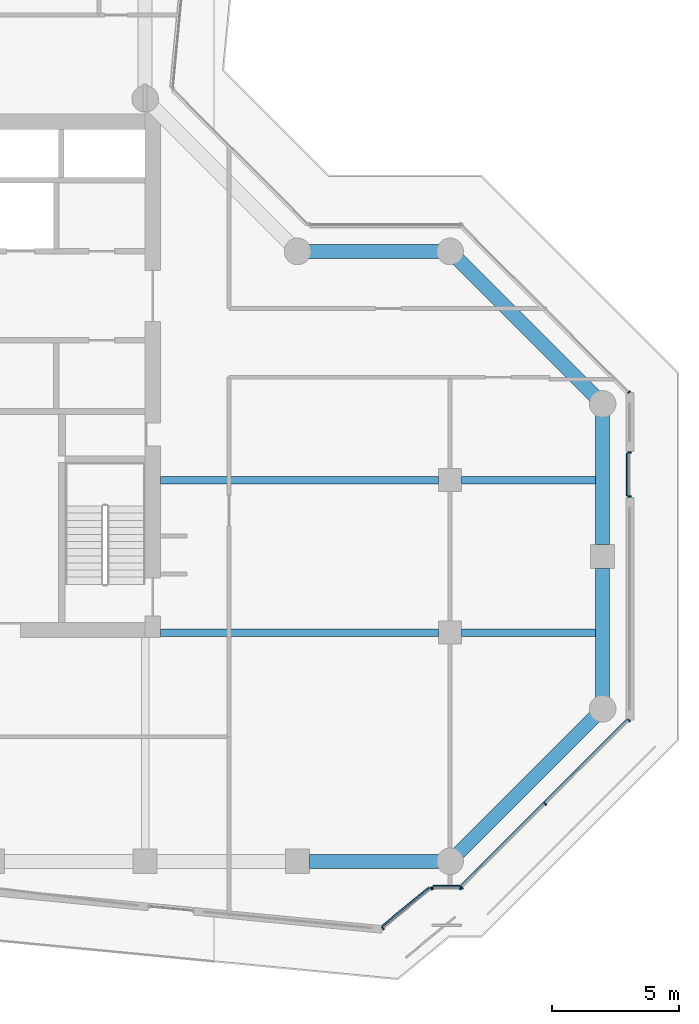
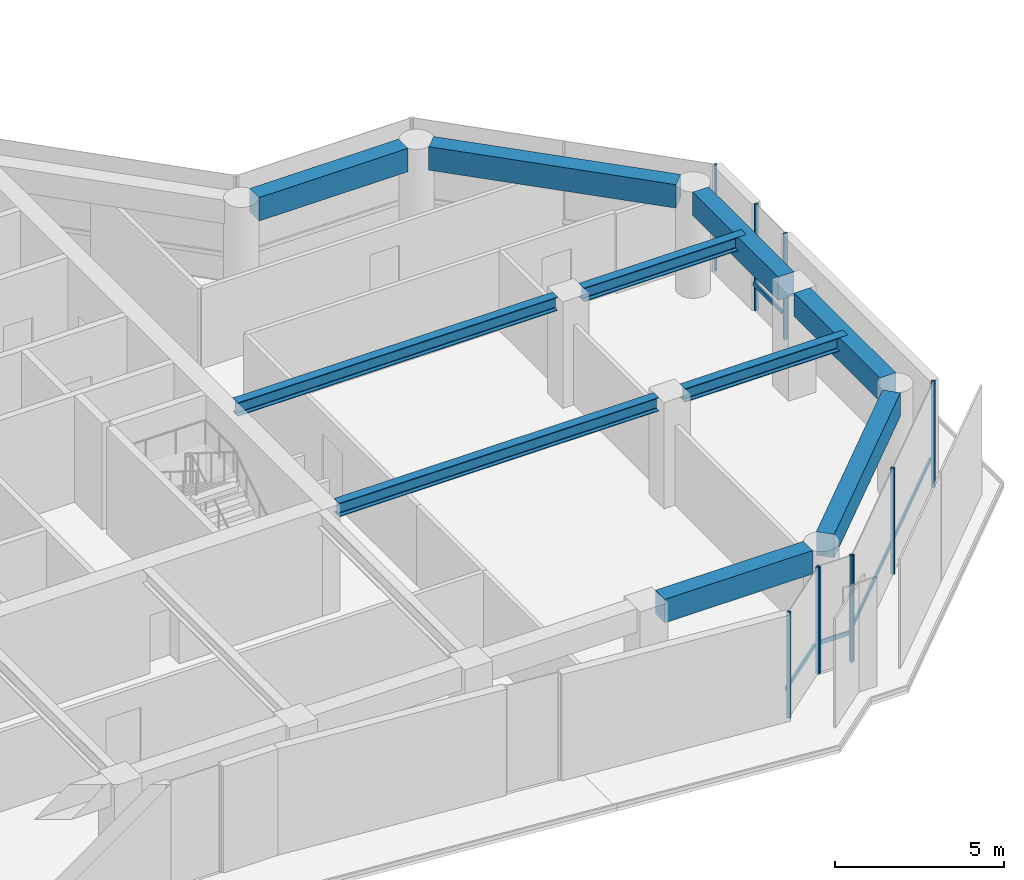
# One storey, part 6 of 23: 14 members, 10 beams, 5 elements without a shape of their own.
"""IFC4 building model written with IfcOpenShell, lengths in metres."""

from ifc_helpers import new_model, si_unit, direction, frame, origin, origin_2d, place, context, subcontext, project, spatial, rectangle, i_section, extrude, material, layer, layer_set, material_profile, profile_set, type_object, element, aggregate, save


model = new_model("IFC4")

# Units and contexts
model_context = context("Model", 3, precision=1e-05, world=origin(), true_north=direction((0.0, 1.0)))
body_context = subcontext(model_context, "Body", "Model", "MODEL_VIEW")
ifc_project = project(units=[si_unit("LENGTHUNIT", "METRE"), si_unit("AREAUNIT", "SQUARE_METRE"), si_unit("VOLUMEUNIT", "CUBIC_METRE"), si_unit("PLANEANGLEUNIT", "RADIAN"), si_unit("MASSUNIT", "GRAM", prefix="KILO")], contexts=[model_context])

# Site, building, storey
site_placement = place(None, origin())
site = spatial("IfcSite", under=ifc_project, at=site_placement, CompositionType="ELEMENT")
building_placement = place(site_placement, origin())
building = spatial("IfcBuilding", under=site, at=building_placement, Name="Welwitschia Terrace Campus", CompositionType="ELEMENT")
storey_placement = place(building_placement, frame((0.0, 0.0, 146.60009765625)))
storey = spatial("IfcBuildingStorey", under=building, at=storey_placement, Name="L32", CompositionType="ELEMENT", Elevation=146.60009765625)

# Beams
ifc_material_1 = material(Name="Steel S355", Category="steel")
ifc_material_profile_1 = material_profile(ifc_material_1, i_section(OverallWidth=0.300048828125, OverallDepth=0.489990234375, WebThickness=0.011962890625, FlangeThickness=0.02294921875, FilletRadius=0.027099609375, at=origin_2d()))
ifc_profile_set_1 = profile_set([ifc_material_profile_1], Name="Steel S355")
beam_type_1 = type_object("IfcBeamType", Name="Interior girder HE 500 A", PredefinedType="BEAM", material=ifc_profile_set_1)
beam_1_placement = place(storey_placement, frame((24.60107421875, 5.0, 3.60498046875), z_axis=(1.0, 0.0, 0.0), x_axis=(0.0, 1.0, 0.0)))
element("IfcBeam", 1, at=beam_1_placement, inside=storey, type_object=beam_type_1, Name="Girder GB4", PredefinedType="BEAM", context=body_context, shape_type="SweptSolid", body=[
    extrude(i_section(OverallWidth=0.300048828125, OverallDepth=0.489990234375, WebThickness=0.011962890625, FlangeThickness=0.02294921875, FilletRadius=0.027099609375, at=origin_2d()), origin(), (0.0, 0.0, 1.0), 10.948486328125),
])
beam_2_placement = place(storey_placement, frame((36.450439453125, 5.0, 3.60498046875), z_axis=(1.0, 0.0, 0.0), x_axis=(0.0, 1.0, 0.0)))
element("IfcBeam", 2, at=beam_2_placement, inside=storey, type_object=beam_type_1, Name="Girder GB4", PredefinedType="BEAM", context=body_context, shape_type="SweptSolid", body=[
    extrude(i_section(OverallWidth=0.300048828125, OverallDepth=0.489990234375, WebThickness=0.011962890625, FlangeThickness=0.02294921875, FilletRadius=0.027099609375, at=origin_2d()), origin(), (0.0, 0.0, 1.0), 5.5595703125),
])
beam_3_placement = place(storey_placement, frame((24.60107421875, 11.0, 3.60498046875), z_axis=(1.0, 0.0, 0.0), x_axis=(0.0, 1.0, 0.0)))
element("IfcBeam", 3, at=beam_3_placement, inside=storey, type_object=beam_type_1, Name="Girder GB4", PredefinedType="BEAM", context=body_context, shape_type="SweptSolid", body=[
    extrude(i_section(OverallWidth=0.300048828125, OverallDepth=0.489990234375, WebThickness=0.011962890625, FlangeThickness=0.02294921875, FilletRadius=0.027099609375, at=origin_2d()), origin(), (0.0, 0.0, 1.0), 10.948486328125),
])
beam_4_placement = place(storey_placement, frame((36.450439453125, 11.0, 3.60498046875), z_axis=(1.0, 0.0, 0.0), x_axis=(0.0, 1.0, 0.0)))
element("IfcBeam", 4, at=beam_4_placement, inside=storey, type_object=beam_type_1, Name="Girder GB4", PredefinedType="BEAM", context=body_context, shape_type="SweptSolid", body=[
    extrude(i_section(OverallWidth=0.300048828125, OverallDepth=0.489990234375, WebThickness=0.011962890625, FlangeThickness=0.02294921875, FilletRadius=0.027099609375, at=origin_2d()), origin(), (0.0, 0.0, 1.0), 5.5595703125),
])

# Curtain wall, members
ifc_material_2 = material(Name="Bronze anodised aluminium", Category="aluminium")
ifc_layer = layer(ifc_material_2, 0.1201171875)
ifc_layer_set = layer_set([ifc_layer], Name="Bronze anodised aluminium")
curtain_wall_type = type_object("IfcCurtainWallType", Name="Curtain wall CW2 tower 6000", PredefinedType="NOTDEFINED", material=ifc_layer_set)
curtain_wall_1_placement = place(storey_placement, origin())
curtain_wall_1 = element("IfcCurtainWall", 5, at=curtain_wall_1_placement, inside=storey, type_object=curtain_wall_type, Name="CW L32.5.0", PredefinedType="NOTDEFINED")
ifc_material_3 = material(Name="Bronze anodised aluminium", Category="aluminium")
ifc_material_profile_2 = material_profile(ifc_material_3, rectangle(XDim=0.1201171875, YDim=0.06005859375, at=origin_2d()))
ifc_profile_set_2 = profile_set([ifc_material_profile_2], Name="Bronze anodised aluminium")
member_type_1 = type_object("IfcMemberType", Name="Mullion 60x120", PredefinedType="MULLION", material=ifc_profile_set_2)
member_1_placement = place(storey_placement, frame((33.357666015625, -6.640625, 0.0), z_axis=(0.0, 0.0, 1.0), x_axis=(-0.636078220278, 0.771624583388, 0.0)))
member_1 = element("IfcMember", 6, at=member_1_placement, type_object=member_type_1, Name="Mullion L32.5.0.0", PredefinedType="MULLION", context=body_context, shape_type="SweptSolid", body=[
    extrude(rectangle(XDim=0.1201171875, YDim=0.06005859375, at=origin_2d()), origin(), (0.0, 0.0, 1.0), 3.849853515625),
])
member_2_placement = place(storey_placement, frame((35.25439453125, -5.0771484375, 0.0), z_axis=(0.0, 0.0, 1.0), x_axis=(-0.636078220278, 0.771624583388, 0.0)))
member_2 = element("IfcMember", 7, at=member_2_placement, type_object=member_type_1, Name="Mullion L32.5.0.1", PredefinedType="MULLION", context=body_context, shape_type="SweptSolid", body=[
    extrude(rectangle(XDim=0.1201171875, YDim=0.06005859375, at=origin_2d()), origin(), (0.0, 0.0, 1.0), 3.849853515625),
])

curtain_wall_2_placement = place(storey_placement, origin())
curtain_wall_2 = element("IfcCurtainWall", 8, at=curtain_wall_2_placement, inside=storey, type_object=curtain_wall_type, Name="CW L32.6.0", PredefinedType="NOTDEFINED")
member_3_placement = place(storey_placement, frame((35.307373046875, -5.05810546875, 0.0), z_axis=(0.0, 0.0, 1.0), x_axis=(0.0, 1.0, 0.0)))
member_3 = element("IfcMember", 9, at=member_3_placement, type_object=member_type_1, Name="Mullion L32.6.0.0", PredefinedType="MULLION", context=body_context, shape_type="SweptSolid", body=[
    extrude(rectangle(XDim=0.1201171875, YDim=0.06005859375, at=origin_2d()), origin(), (0.0, 0.0, 1.0), 3.849853515625),
])
member_4_placement = place(storey_placement, frame((36.408203125, -5.05810546875, 0.0), z_axis=(0.0, 0.0, 1.0), x_axis=(0.0, 1.0, 0.0)))
member_4 = element("IfcMember", 10, at=member_4_placement, type_object=member_type_1, Name="Mullion L32.6.0.1", PredefinedType="MULLION", context=body_context, shape_type="SweptSolid", body=[
    extrude(rectangle(XDim=0.1201171875, YDim=0.06005859375, at=origin_2d()), origin(), (0.0, 0.0, 1.0), 3.849853515625),
])

curtain_wall_3_placement = place(storey_placement, origin())
curtain_wall_3 = element("IfcCurtainWall", 11, at=curtain_wall_3_placement, inside=storey, type_object=curtain_wall_type, Name="CW L32.7.0", PredefinedType="NOTDEFINED")
member_5_placement = place(storey_placement, frame((36.45947265625, -5.036865234375, 0.0), z_axis=(0.0, 0.0, 1.0), x_axis=(-0.707106781187, 0.707106781187, 0.0)))
member_5 = element("IfcMember", 12, at=member_5_placement, type_object=member_type_1, Name="Mullion L32.7.0.0", PredefinedType="MULLION", context=body_context, shape_type="SweptSolid", body=[
    extrude(rectangle(XDim=0.1201171875, YDim=0.06005859375, at=origin_2d()), origin(), (0.0, 0.0, 1.0), 3.849853515625),
])
member_6_placement = place(storey_placement, frame((39.748046875, -1.748046875, 0.0), z_axis=(0.0, 0.0, 1.0), x_axis=(-0.707106781187, 0.707106781187, 0.0)))
member_6 = element("IfcMember", 13, at=member_6_placement, type_object=member_type_1, Name="Mullion L32.7.0.1", PredefinedType="MULLION", context=body_context, shape_type="SweptSolid", body=[
    extrude(rectangle(XDim=0.1201171875, YDim=0.06005859375, at=origin_2d()), origin(), (0.0, 0.0, 1.0), 3.849853515625),
])
member_7_placement = place(storey_placement, frame((43.036865234375, 1.54052734375, 0.0), z_axis=(0.0, 0.0, 1.0), x_axis=(-0.707106781187, 0.707106781187, 0.0)))
member_7 = element("IfcMember", 14, at=member_7_placement, type_object=member_type_1, Name="Mullion L32.7.0.2", PredefinedType="MULLION", context=body_context, shape_type="SweptSolid", body=[
    extrude(rectangle(XDim=0.1201171875, YDim=0.06005859375, at=origin_2d()), origin(), (0.0, 0.0, 1.0), 3.849853515625),
])

curtain_wall_4_placement = place(storey_placement, origin())
curtain_wall_4 = element("IfcCurtainWall", 15, at=curtain_wall_4_placement, inside=storey, type_object=curtain_wall_type, Name="CW L32.8.S0", PredefinedType="NOTDEFINED")
member_8_placement = place(storey_placement, frame((43.05810546875, 10.34912109375, 0.0), z_axis=(0.0, 0.0, 1.0), x_axis=(-1.0, 0.0, 0.0)))
member_8 = element("IfcMember", 16, at=member_8_placement, type_object=member_type_1, Name="Mullion L32.8.S0.0", PredefinedType="MULLION", context=body_context, shape_type="SweptSolid", body=[
    extrude(rectangle(XDim=0.1201171875, YDim=0.06005859375, at=origin_2d()), origin(), (0.0, 0.0, 1.0), 3.849853515625),
])
member_9_placement = place(storey_placement, frame((43.05810546875, 12.089111328125, 0.0), z_axis=(0.0, 0.0, 1.0), x_axis=(-1.0, 0.0, 0.0)))
member_9 = element("IfcMember", 17, at=member_9_placement, type_object=member_type_1, Name="Mullion L32.8.S0.1", PredefinedType="MULLION", context=body_context, shape_type="SweptSolid", body=[
    extrude(rectangle(XDim=0.1201171875, YDim=0.06005859375, at=origin_2d()), origin(), (0.0, 0.0, 1.0), 3.849853515625),
])

# Curtain wall, member
curtain_wall_5_placement = place(storey_placement, origin())
curtain_wall_5 = element("IfcCurtainWall", 18, at=curtain_wall_5_placement, inside=storey, type_object=curtain_wall_type, Name="CW L32.9.0", PredefinedType="NOTDEFINED")
member_10_placement = place(storey_placement, frame((43.036865234375, 14.45947265625, 0.0), z_axis=(0.0, 0.0, 1.0), x_axis=(-0.707106781187, -0.707106781187, 0.0)))
member_10 = element("IfcMember", 19, at=member_10_placement, type_object=member_type_1, Name="Mullion L32.9.0.0", PredefinedType="MULLION", context=body_context, shape_type="SweptSolid", body=[
    extrude(rectangle(XDim=0.1201171875, YDim=0.06005859375, at=origin_2d()), origin(), (0.0, 0.0, 1.0), 3.849853515625),
])
aggregate(curtain_wall_5, [member_10])

# Beams
ifc_material_4 = material(Name="Concrete C50/60", Category="concrete")
ifc_material_profile_3 = material_profile(ifc_material_4, rectangle(XDim=0.550048828125, YDim=0.85009765625, at=origin_2d()))
ifc_profile_set_3 = profile_set([ifc_material_profile_3], Name="Concrete C50/60")
beam_type_2 = type_object("IfcBeamType", Name="Ring spandrel 550x850", PredefinedType="SPANDREL", material=ifc_profile_set_3)
beam_5_placement = place(storey_placement, frame((30.4755859375, -4.0, 3.4248046875), z_axis=(1.0, 0.0, 0.0), x_axis=(0.0, 1.0, 0.0)))
element("IfcBeam", 20, at=beam_5_placement, inside=storey, type_object=beam_type_2, Name="Spandrel SP3", PredefinedType="SPANDREL", context=body_context, shape_type="SweptSolid", body=[
    extrude(rectangle(XDim=0.550048828125, YDim=0.85009765625, at=origin_2d()), origin(), (0.0, 0.0, 1.0), 5.076416015625),
])
beam_6_placement = place(storey_placement, frame((36.31689453125, -3.68310546875, 3.4248046875), z_axis=(0.707106781187, 0.707106781187, 0.0), x_axis=(-0.707106781187, 0.707106781187, 0.0)))
element("IfcBeam", 21, at=beam_6_placement, inside=storey, type_object=beam_type_2, Name="Spandrel SP3", PredefinedType="SPANDREL", context=body_context, shape_type="SweptSolid", body=[
    extrude(rectangle(XDim=0.550048828125, YDim=0.85009765625, at=origin_2d()), origin(), (0.0, 0.0, 1.0), 7.5888671875),
])
for number, where, z_axis, x_axis, name in (
    (22, (42.0, 2.447998046875, 3.4248046875), (0.0, 1.0, 0.0), (-1.0, 0.0, 0.0), "Spandrel SP3"),
    (23, (42.0, 8.4755859375, 3.4248046875), (0.0, 1.0, 0.0), (-1.0, 0.0, 0.0), "Spandrel SP3"),
):
    element("IfcBeam", number, at=place(storey_placement, frame(where, z_axis=z_axis, x_axis=x_axis)), inside=storey, type_object=beam_type_2, Name=name, PredefinedType="SPANDREL", context=body_context, shape_type="SweptSolid", body=[
        extrude(rectangle(XDim=0.550048828125, YDim=0.85009765625, at=origin_2d()), origin(), (0.0, 0.0, 1.0), 5.076416015625),
    ])
beam_7_placement = place(storey_placement, frame((41.68310546875, 14.31689453125, 3.4248046875), z_axis=(-0.707106781187, 0.707106781187, 0.0), x_axis=(-0.707106781187, -0.707106781187, 0.0)))
element("IfcBeam", 24, at=beam_7_placement, inside=storey, type_object=beam_type_2, Name="Spandrel SP3", PredefinedType="SPANDREL", context=body_context, shape_type="SweptSolid", body=[
    extrude(rectangle(XDim=0.550048828125, YDim=0.85009765625, at=origin_2d()), origin(), (0.0, 0.0, 1.0), 7.5888671875),
])
beam_8_placement = place(storey_placement, frame((35.552001953125, 20.0, 3.4248046875), z_axis=(-1.0, 0.0, 0.0), x_axis=(0.0, -1.0, 0.0)))
element("IfcBeam", 25, at=beam_8_placement, inside=storey, type_object=beam_type_2, Name="Spandrel SP3", PredefinedType="SPANDREL", context=body_context, shape_type="SweptSolid", body=[
    extrude(rectangle(XDim=0.550048828125, YDim=0.85009765625, at=origin_2d()), origin(), (0.0, 0.0, 1.0), 5.10400390625),
])

# Member
ifc_material_5 = material(Name="Bronze anodised aluminium", Category="aluminium")
ifc_material_profile_4 = material_profile(ifc_material_5, rectangle(XDim=0.06005859375, YDim=0.14990234375, at=origin_2d()))
ifc_profile_set_4 = profile_set([ifc_material_profile_4], Name="Bronze anodised aluminium")
member_type_2 = type_object("IfcMemberType", Name="Transom 60x150", PredefinedType="USERDEFINED", material=ifc_profile_set_4)
member_11_placement = place(storey_placement, frame((33.323486328125, -6.552001953125, 1.0), z_axis=(0.77160686748, 0.636099710782, 0.0), x_axis=(-0.636099710782, 0.77160686748, 0.0)))
member_11 = element("IfcMember", 26, at=member_11_placement, type_object=member_type_2, Name="Transom L32.5.0", ObjectType="TRANSOM", PredefinedType="USERDEFINED", context=body_context, shape_type="SweptSolid", body=[
    extrude(rectangle(XDim=0.06005859375, YDim=0.14990234375, at=origin_2d()), origin(), (0.0, 0.0, 1.0), 2.39794921875),
])

aggregate(curtain_wall_1, [member_1, member_2, member_11])

member_12_placement = place(storey_placement, frame((35.33740234375, -4.968017578125, 1.0), z_axis=(1.0, 0.0, 0.0), x_axis=(0.0, 1.0, 0.0)))
member_12 = element("IfcMember", 27, at=member_12_placement, type_object=member_type_2, Name="Transom L32.6.0", ObjectType="TRANSOM", PredefinedType="USERDEFINED", context=body_context, shape_type="SweptSolid", body=[
    extrude(rectangle(XDim=0.06005859375, YDim=0.14990234375, at=origin_2d()), origin(), (0.0, 0.0, 1.0), 1.040771484375),
])

aggregate(curtain_wall_2, [member_3, member_4, member_12])

member_13_placement = place(storey_placement, frame((36.4169921875, -4.951904296875, 1.0), z_axis=(0.707106781187, 0.707106781187, 0.0), x_axis=(-0.707106781187, 0.707106781187, 0.0)))
member_13 = element("IfcMember", 28, at=member_13_placement, type_object=member_type_2, Name="Transom L32.7.0", ObjectType="TRANSOM", PredefinedType="USERDEFINED", context=body_context, shape_type="SweptSolid", body=[
    extrude(rectangle(XDim=0.06005859375, YDim=0.14990234375, at=origin_2d()), origin(), (0.0, 0.0, 1.0), 9.24169921875),
])

aggregate(curtain_wall_3, [member_5, member_6, member_7, member_13])

member_14_placement = place(storey_placement, frame((42.968017578125, 10.379150390625, 1.0), z_axis=(0.0, 1.0, 0.0), x_axis=(-1.0, 0.0, 0.0)))
member_14 = element("IfcMember", 29, at=member_14_placement, type_object=member_type_2, Name="Transom L32.8.S0", ObjectType="TRANSOM", PredefinedType="USERDEFINED", context=body_context, shape_type="SweptSolid", body=[
    extrude(rectangle(XDim=0.06005859375, YDim=0.14990234375, at=origin_2d()), origin(), (0.0, 0.0, 1.0), 1.679931640625),
])

aggregate(curtain_wall_4, [member_8, member_9, member_14])

save(model, "model.ifc")
